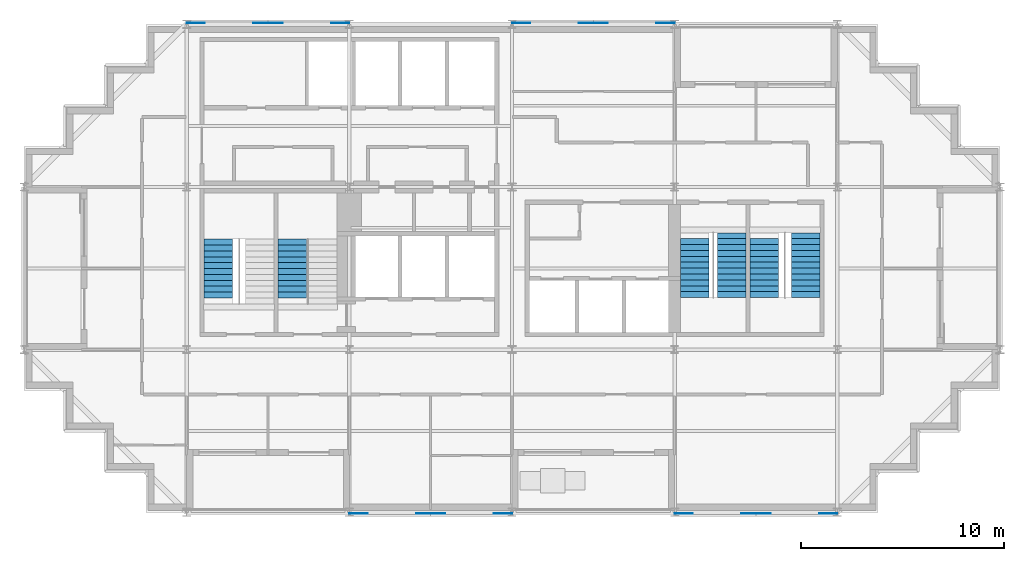
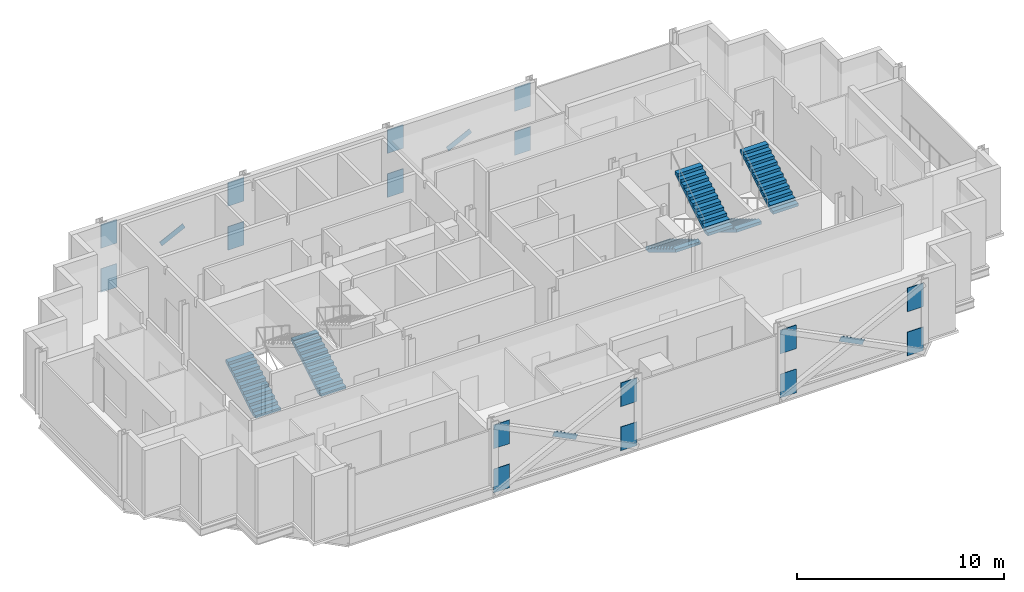
# One storey, part 8 of 10: 20 discrete accessories, 6 stair flights, 4 elements without a shape of their own.
"""IFC4 building model written with IfcOpenShell, lengths in metres."""

from ifc_helpers import new_model, si_unit, direction, frame, origin, origin_2d, place, context, subcontext, project, spatial, polyline, rectangle, outline, extrude, material, material_profile, profile_set, type_object, element, aggregate, save


model = new_model("IFC4")

# Units and contexts
model_context = context("Model", 3, precision=1e-05, world=origin(), true_north=direction((0.0, 1.0)))
body_context = subcontext(model_context, "Body", "Model", "MODEL_VIEW")
ifc_project = project(units=[si_unit("LENGTHUNIT", "METRE"), si_unit("AREAUNIT", "SQUARE_METRE"), si_unit("VOLUMEUNIT", "CUBIC_METRE"), si_unit("PLANEANGLEUNIT", "RADIAN"), si_unit("MASSUNIT", "GRAM", prefix="KILO")], contexts=[model_context])

# Site, building, storey
site_placement = place(None, origin())
site = spatial("IfcSite", under=ifc_project, at=site_placement, CompositionType="ELEMENT")
building_placement = place(site_placement, origin())
building = spatial("IfcBuilding", under=site, at=building_placement, Name="Immortelle Media Tower", CompositionType="ELEMENT")
storey_placement = place(building_placement, frame((0.0, 0.0, 233.0)))
storey = spatial("IfcBuildingStorey", under=building, at=storey_placement, Name="L50", CompositionType="ELEMENT", Elevation=233.0)

# Stair, stair flight
ifc_material_1 = material(Name="Steel ASTM A992 Gr 50", Category="steel")
stair_type = type_object("IfcStairType", Name="Stair with flights", PredefinedType="DOUBLE_RETURN_STAIR", material=ifc_material_1)
stair_1_placement = place(storey_placement, origin())
stair_1 = element("IfcStair", 1, at=stair_1_placement, inside=storey, type_object=stair_type, Name="Exit stair SW1", PredefinedType="DOUBLE_RETURN_STAIR")
stair_flight_type = type_object("IfcStairFlightType", Name="Stair flight 1400", PredefinedType="STRAIGHT", material=ifc_material_1)
stair_flight_1_placement = place(storey_placement, frame((9.550048828125, 10.5400390625, 0.0), z_axis=(0.0, 0.0, 1.0), x_axis=(0.0, 1.0, 0.0)))
stair_flight_1 = element("IfcStairFlight", 2, at=stair_flight_1_placement, type_object=stair_flight_type, Name="ST SW1 flight 1", NumberOfRisers=11, NumberOfTreads=10, PredefinedType="STRAIGHT", RiserHeight=0.173913043, TreadLength=0.29, context=body_context, shape_type="SweptSolid", body=[
    extrude(outline(polyline([(0.0, 0.0), (0.0, 0.173828125), (0.2900390625, 0.173828125), (0.2900390625, 0.347900390625), (0.580078125, 0.347900390625), (0.580078125, 0.521728515625), (0.8701171875, 0.521728515625), (0.8701171875, 0.695556640625), (1.159912109375, 0.695556640625), (1.159912109375, 0.86962890625), (1.449951171875, 0.86962890625), (1.449951171875, 1.04345703125), (1.739990234375, 1.04345703125), (1.739990234375, 1.21728515625), (2.030029296875, 1.21728515625), (2.030029296875, 1.391357421875), (2.320068359375, 1.391357421875), (2.320068359375, 1.565185546875), (2.610107421875, 1.565185546875), (2.610107421875, 1.739013671875), (2.89990234375, 1.739013671875), (2.89990234375, 1.9130859375), (2.89990234375, 1.564453125), (0.29150390625, 0.0), (0.0, 0.0)])), frame((0.0, 0.699951171875, 0.0), z_axis=(0.0, -1.0, 0.0), x_axis=(1.0, 0.0, 0.0)), (0.0, 0.0, 1.0), 1.39990234375),
])
aggregate(stair_1, [stair_flight_1])

stair_2_placement = place(storey_placement, origin())
stair_2 = element("IfcStair", 3, at=stair_2_placement, inside=storey, type_object=stair_type, Name="Exit stair SW2", PredefinedType="DOUBLE_RETURN_STAIR")
stair_flight_2_placement = place(storey_placement, frame((13.199951171875, 10.5400390625, 0.0), z_axis=(0.0, 0.0, 1.0), x_axis=(0.0, 1.0, 0.0)))
stair_flight_2 = element("IfcStairFlight", 4, at=stair_flight_2_placement, type_object=stair_flight_type, Name="ST SW2 flight 1", NumberOfRisers=11, NumberOfTreads=10, PredefinedType="STRAIGHT", RiserHeight=0.173913043, TreadLength=0.29, context=body_context, shape_type="SweptSolid", body=[
    extrude(outline(polyline([(0.0, 0.0), (0.0, 0.173828125), (0.2900390625, 0.173828125), (0.2900390625, 0.347900390625), (0.580078125, 0.347900390625), (0.580078125, 0.521728515625), (0.8701171875, 0.521728515625), (0.8701171875, 0.695556640625), (1.159912109375, 0.695556640625), (1.159912109375, 0.86962890625), (1.449951171875, 0.86962890625), (1.449951171875, 1.04345703125), (1.739990234375, 1.04345703125), (1.739990234375, 1.21728515625), (2.030029296875, 1.21728515625), (2.030029296875, 1.391357421875), (2.320068359375, 1.391357421875), (2.320068359375, 1.565185546875), (2.610107421875, 1.565185546875), (2.610107421875, 1.739013671875), (2.89990234375, 1.739013671875), (2.89990234375, 1.9130859375), (2.89990234375, 1.564453125), (0.29150390625, 0.0), (0.0, 0.0)])), frame((0.0, 0.699951171875, 0.0), z_axis=(0.0, -1.0, 0.0), x_axis=(1.0, 0.0, 0.0)), (0.0, 0.0, 1.0), 1.39990234375),
])
aggregate(stair_2, [stair_flight_2])

# Stair, stair flights
stair_3_placement = place(storey_placement, origin())
stair_3 = element("IfcStair", 5, at=stair_3_placement, inside=storey, type_object=stair_type, Name="Exit stair SE1", PredefinedType="DOUBLE_RETURN_STAIR")
stair_flight_3_placement = place(storey_placement, frame((33.0, 13.4599609375, 0.0), z_axis=(0.0, 0.0, 1.0), x_axis=(0.0, -1.0, 0.0)))
stair_flight_3 = element("IfcStairFlight", 6, at=stair_flight_3_placement, type_object=stair_flight_type, Name="ST SE1 flight 1", NumberOfRisers=11, NumberOfTreads=10, PredefinedType="STRAIGHT", RiserHeight=0.173913043, TreadLength=0.29, context=body_context, shape_type="SweptSolid", body=[
    extrude(outline(polyline([(0.0, 0.0), (0.0, 0.173828125), (0.2900390625, 0.173828125), (0.2900390625, 0.347900390625), (0.580078125, 0.347900390625), (0.580078125, 0.521728515625), (0.8701171875, 0.521728515625), (0.8701171875, 0.695556640625), (1.159912109375, 0.695556640625), (1.159912109375, 0.86962890625), (1.449951171875, 0.86962890625), (1.449951171875, 1.04345703125), (1.739990234375, 1.04345703125), (1.739990234375, 1.21728515625), (2.030029296875, 1.21728515625), (2.030029296875, 1.391357421875), (2.320068359375, 1.391357421875), (2.320068359375, 1.565185546875), (2.610107421875, 1.565185546875), (2.610107421875, 1.739013671875), (2.89990234375, 1.739013671875), (2.89990234375, 1.9130859375), (2.89990234375, 1.564453125), (0.29150390625, 0.0), (0.0, 0.0)])), frame((0.0, 0.699951171875, 0.0), z_axis=(0.0, -1.0, 0.0), x_axis=(1.0, 0.0, 0.0)), (0.0, 0.0, 1.0), 1.39990234375),
])
stair_flight_4_placement = place(storey_placement, frame((34.800048828125, 10.56005859375, 1.9130859375), z_axis=(0.0, 0.0, 1.0), x_axis=(0.0, 1.0, 0.0)))
stair_flight_4 = element("IfcStairFlight", 7, at=stair_flight_4_placement, type_object=stair_flight_type, Name="ST SE1 flight 2", NumberOfRisers=12, NumberOfTreads=11, PredefinedType="STRAIGHT", RiserHeight=0.173913043, TreadLength=0.29, context=body_context, shape_type="SweptSolid", body=[
    extrude(outline(polyline([(0.0, 0.0), (0.0, 0.173828125), (0.2900390625, 0.173828125), (0.2900390625, 0.347900390625), (0.580078125, 0.347900390625), (0.580078125, 0.521728515625), (0.8701171875, 0.521728515625), (0.8701171875, 0.695556640625), (1.159912109375, 0.695556640625), (1.159912109375, 0.86962890625), (1.449951171875, 0.86962890625), (1.449951171875, 1.04345703125), (1.739990234375, 1.04345703125), (1.739990234375, 1.21728515625), (2.030029296875, 1.21728515625), (2.030029296875, 1.391357421875), (2.320068359375, 1.391357421875), (2.320068359375, 1.565185546875), (2.610107421875, 1.565185546875), (2.610107421875, 1.739013671875), (2.89990234375, 1.739013671875), (2.89990234375, 1.9130859375), (3.18994140625, 1.9130859375), (3.18994140625, 2.0869140625), (3.18994140625, 1.73828125), (0.29150390625, 0.0), (0.0, 0.0)])), frame((0.0, 0.699951171875, 0.0), z_axis=(0.0, -1.0, 0.0), x_axis=(1.0, 0.0, 0.0)), (0.0, 0.0, 1.0), 1.39990234375),
])
aggregate(stair_3, [stair_flight_3, stair_flight_4])

stair_4_placement = place(storey_placement, origin())
stair_4 = element("IfcStair", 8, at=stair_4_placement, inside=storey, type_object=stair_type, Name="Exit stair SE2", PredefinedType="DOUBLE_RETURN_STAIR")
stair_flight_5_placement = place(storey_placement, frame((36.39990234375, 13.4599609375, 0.0), z_axis=(0.0, 0.0, 1.0), x_axis=(0.0, -1.0, 0.0)))
stair_flight_5 = element("IfcStairFlight", 9, at=stair_flight_5_placement, type_object=stair_flight_type, Name="ST SE2 flight 1", NumberOfRisers=11, NumberOfTreads=10, PredefinedType="STRAIGHT", RiserHeight=0.173913043, TreadLength=0.29, context=body_context, shape_type="SweptSolid", body=[
    extrude(outline(polyline([(0.0, 0.0), (0.0, 0.173828125), (0.2900390625, 0.173828125), (0.2900390625, 0.347900390625), (0.580078125, 0.347900390625), (0.580078125, 0.521728515625), (0.8701171875, 0.521728515625), (0.8701171875, 0.695556640625), (1.159912109375, 0.695556640625), (1.159912109375, 0.86962890625), (1.449951171875, 0.86962890625), (1.449951171875, 1.04345703125), (1.739990234375, 1.04345703125), (1.739990234375, 1.21728515625), (2.030029296875, 1.21728515625), (2.030029296875, 1.391357421875), (2.320068359375, 1.391357421875), (2.320068359375, 1.565185546875), (2.610107421875, 1.565185546875), (2.610107421875, 1.739013671875), (2.89990234375, 1.739013671875), (2.89990234375, 1.9130859375), (2.89990234375, 1.564453125), (0.29150390625, 0.0), (0.0, 0.0)])), frame((0.0, 0.699951171875, 0.0), z_axis=(0.0, -1.0, 0.0), x_axis=(1.0, 0.0, 0.0)), (0.0, 0.0, 1.0), 1.39990234375),
])
stair_flight_6_placement = place(storey_placement, frame((38.449951171875, 10.56005859375, 1.9130859375), z_axis=(0.0, 0.0, 1.0), x_axis=(0.0, 1.0, 0.0)))
stair_flight_6 = element("IfcStairFlight", 10, at=stair_flight_6_placement, type_object=stair_flight_type, Name="ST SE2 flight 2", NumberOfRisers=12, NumberOfTreads=11, PredefinedType="STRAIGHT", RiserHeight=0.173913043, TreadLength=0.29, context=body_context, shape_type="SweptSolid", body=[
    extrude(outline(polyline([(0.0, 0.0), (0.0, 0.173828125), (0.2900390625, 0.173828125), (0.2900390625, 0.347900390625), (0.580078125, 0.347900390625), (0.580078125, 0.521728515625), (0.8701171875, 0.521728515625), (0.8701171875, 0.695556640625), (1.159912109375, 0.695556640625), (1.159912109375, 0.86962890625), (1.449951171875, 0.86962890625), (1.449951171875, 1.04345703125), (1.739990234375, 1.04345703125), (1.739990234375, 1.21728515625), (2.030029296875, 1.21728515625), (2.030029296875, 1.391357421875), (2.320068359375, 1.391357421875), (2.320068359375, 1.565185546875), (2.610107421875, 1.565185546875), (2.610107421875, 1.739013671875), (2.89990234375, 1.739013671875), (2.89990234375, 1.9130859375), (3.18994140625, 1.9130859375), (3.18994140625, 2.0869140625), (3.18994140625, 1.73828125), (0.29150390625, 0.0), (0.0, 0.0)])), frame((0.0, 0.699951171875, 0.0), z_axis=(0.0, -1.0, 0.0), x_axis=(1.0, 0.0, 0.0)), (0.0, 0.0, 1.0), 1.39990234375),
])
aggregate(stair_4, [stair_flight_5, stair_flight_6])

# Discrete accessories
ifc_material_2 = material(Name="Steel ASTM A572 Gr 50", Category="steel")
ifc_material_profile_1 = material_profile(ifc_material_2, rectangle(XDim=0.02392578125, YDim=0.304931640625, at=origin_2d()), Name="PL 24 x 305")
ifc_profile_set_1 = profile_set([ifc_material_profile_1], Name="Steel ASTM A572 Gr 50")
discrete_accessory_type_1 = type_object("IfcDiscreteAccessoryType", Name="Crossing plate XP-BR6 1450 x 305 x 24", PredefinedType="USERDEFINED", material=ifc_profile_set_1)
for number, where, z_axis, x_axis, name in (
    (11, (28.6484375, 24.0625, 1.8681640625), (-0.894427191, 0.0, -0.4472135955), (0.0, -1.0, 0.0), "Crossing plate XP-BR6 of Brace D/4-5 A and Brace D/4-5 B"),
    (12, (12.6484375, 24.0625, 1.8681640625), (-0.894427191, 0.0, -0.4472135955), (0.0, -1.0, 0.0), "Crossing plate XP-BR6 of Brace D/2-3 A and Brace D/2-3 B"),
    (13, (19.3515625, -0.0625, 1.8681640625), (0.894427191, 0.0, -0.4472135955), (0.0, 1.0, 0.0), "Crossing plate XP-BR6 of Brace A/3-4 A and Brace A/3-4 B"),
    (14, (35.3515625, -0.0625, 1.8681640625), (0.894427191, 0.0, -0.4472135955), (0.0, 1.0, 0.0), "Crossing plate XP-BR6 of Brace A/5-6 A and Brace A/5-6 B"),
):
    element("IfcDiscreteAccessory", number, at=place(storey_placement, frame(where, z_axis=z_axis, x_axis=x_axis)), inside=storey, type_object=discrete_accessory_type_1, Name=name, ObjectType="CROSSING PLATE", PredefinedType="USERDEFINED", context=body_context, shape_type="SweptSolid", body=[
        extrude(rectangle(XDim=0.02392578125, YDim=0.304931640625, at=origin_2d()), origin(), (0.0, 0.0, 1.0), 1.449951171875),
    ])
ifc_material_profile_2 = material_profile(ifc_material_2, rectangle(XDim=0.031982421875, YDim=1.39990234375, at=origin_2d()), Name="PL 32 x 1400")
ifc_profile_set_2 = profile_set([ifc_material_profile_2], Name="Steel ASTM A572 Gr 50")
discrete_accessory_type_2 = type_object("IfcDiscreteAccessoryType", Name="Gusset plate GP1 900 x 1400 x 32", PredefinedType="USERDEFINED", material=ifc_profile_set_2)
for number, where, z_axis, x_axis, name in (
    (15, (16.0, -0.0625, 0.243896484375), (1.0, 0.0, 0.0), (0.0, 1.0, 0.0), "Gusset plate GP1, lower end of Brace A/3-4 A"),
    (16, (24.0, -0.0625, 2.843994140625), (-1.0, 0.0, 0.0), (0.0, -1.0, 0.0), "Gusset plate GP1, upper end of Brace A/3-4 A"),
    (17, (24.0, -0.0625, 0.243896484375), (-1.0, 0.0, 0.0), (0.0, -1.0, 0.0), "Gusset plate GP1, lower end of Brace A/3-4 B"),
    (18, (16.0, -0.0625, 2.843994140625), (1.0, 0.0, 0.0), (0.0, 1.0, 0.0), "Gusset plate GP1, upper end of Brace A/3-4 B"),
    (19, (32.0, -0.0625, 0.243896484375), (1.0, 0.0, 0.0), (0.0, 1.0, 0.0), "Gusset plate GP1, lower end of Brace A/5-6 A"),
    (20, (40.0, -0.0625, 2.843994140625), (-1.0, 0.0, 0.0), (0.0, -1.0, 0.0), "Gusset plate GP1, upper end of Brace A/5-6 A"),
    (21, (40.0, -0.0625, 0.243896484375), (-1.0, 0.0, 0.0), (0.0, -1.0, 0.0), "Gusset plate GP1, lower end of Brace A/5-6 B"),
    (22, (32.0, -0.0625, 2.843994140625), (1.0, 0.0, 0.0), (0.0, 1.0, 0.0), "Gusset plate GP1, upper end of Brace A/5-6 B"),
    (23, (32.0, 24.0625, 0.243896484375), (-1.0, 0.0, 0.0), (0.0, -1.0, 0.0), "Gusset plate GP1, lower end of Brace D/4-5 A"),
    (24, (24.0, 24.0625, 2.843994140625), (1.0, 0.0, 0.0), (0.0, 1.0, 0.0), "Gusset plate GP1, upper end of Brace D/4-5 A"),
    (25, (24.0, 24.0625, 0.243896484375), (1.0, 0.0, 0.0), (0.0, 1.0, 0.0), "Gusset plate GP1, lower end of Brace D/4-5 B"),
    (26, (32.0, 24.0625, 2.843994140625), (-1.0, 0.0, 0.0), (0.0, -1.0, 0.0), "Gusset plate GP1, upper end of Brace D/4-5 B"),
    (27, (16.0, 24.0625, 0.243896484375), (-1.0, 0.0, 0.0), (0.0, -1.0, 0.0), "Gusset plate GP1, lower end of Brace D/2-3 A"),
    (28, (8.0, 24.0625, 2.843994140625), (1.0, 0.0, 0.0), (0.0, 1.0, 0.0), "Gusset plate GP1, upper end of Brace D/2-3 A"),
    (29, (8.0, 24.0625, 0.243896484375), (1.0, 0.0, 0.0), (0.0, 1.0, 0.0), "Gusset plate GP1, lower end of Brace D/2-3 B"),
    (30, (16.0, 24.0625, 2.843994140625), (-1.0, 0.0, 0.0), (0.0, -1.0, 0.0), "Gusset plate GP1, upper end of Brace D/2-3 B"),
):
    element("IfcDiscreteAccessory", number, at=place(storey_placement, frame(where, z_axis=z_axis, x_axis=x_axis)), inside=storey, type_object=discrete_accessory_type_2, Name=name, ObjectType="GUSSET PLATE", PredefinedType="USERDEFINED", context=body_context, shape_type="SweptSolid", body=[
        extrude(rectangle(XDim=0.031982421875, YDim=1.39990234375, at=origin_2d()), origin(), (0.0, 0.0, 1.0), 0.89990234375),
    ])

save(model, "model.ifc")
